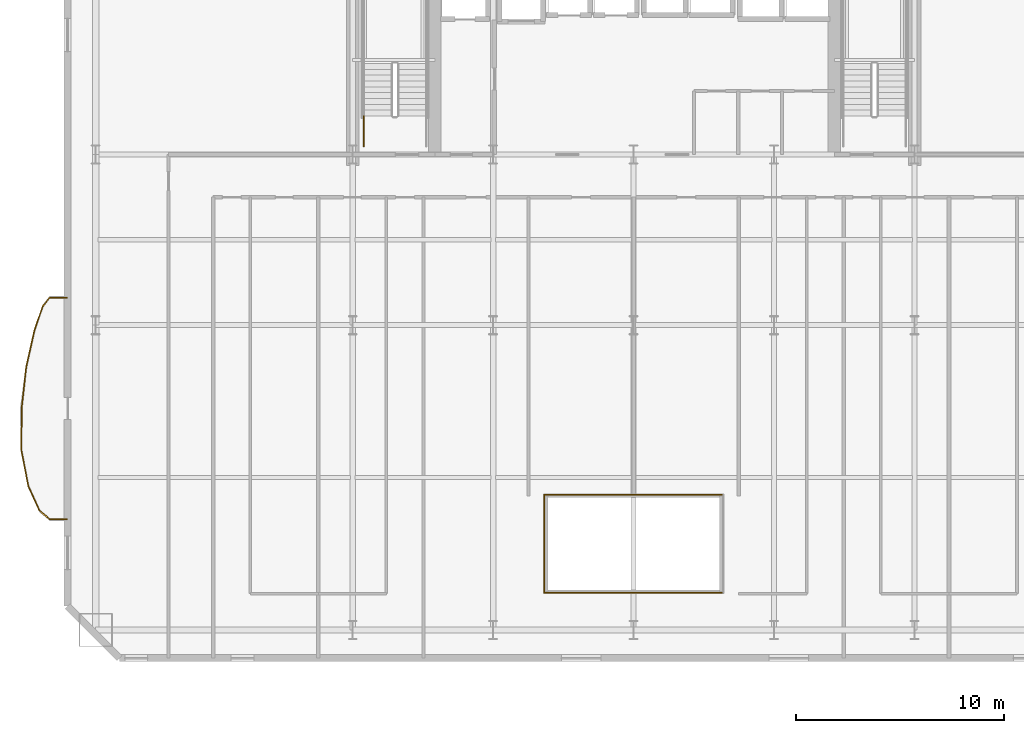
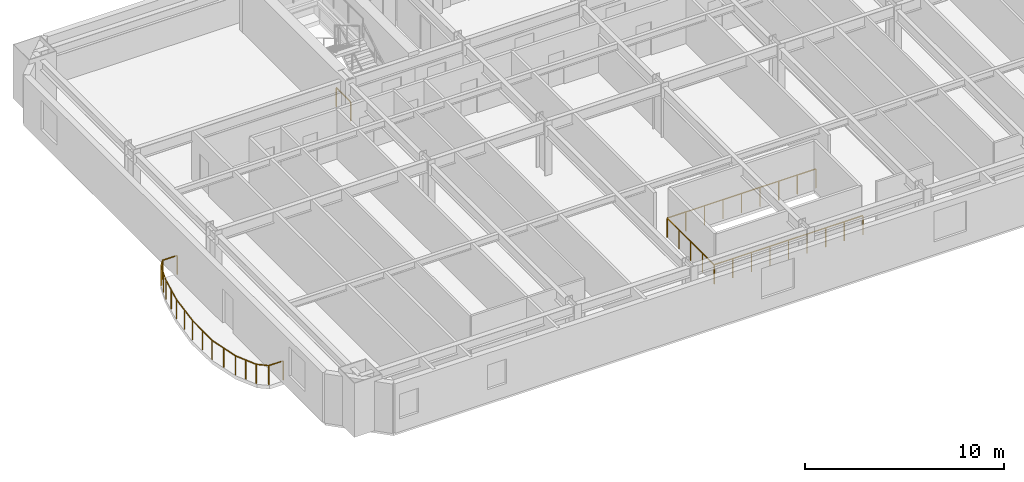
# One storey, part 11 of 17: 14 railings.
"""IFC4 building model written with IfcOpenShell, lengths in metres."""

from ifc_helpers import new_model, si_unit, direction, frame, origin, origin_2d, place, context, subcontext, project, spatial, rectangle, extrude, material, type_object, element, save


model = new_model("IFC4")

# Units and contexts
model_context = context("Model", 3, precision=1e-05, world=origin(), true_north=direction((0.0, 1.0)))
body_context = subcontext(model_context, "Body", "Model", "MODEL_VIEW")
ifc_project = project(units=[si_unit("LENGTHUNIT", "METRE"), si_unit("AREAUNIT", "SQUARE_METRE"), si_unit("VOLUMEUNIT", "CUBIC_METRE"), si_unit("PLANEANGLEUNIT", "RADIAN"), si_unit("MASSUNIT", "GRAM", prefix="KILO")], contexts=[model_context])

# Site, building, storey
site_placement = place(None, origin())
site = spatial("IfcSite", under=ifc_project, at=site_placement, CompositionType="ELEMENT")
building_placement = place(site_placement, origin())
building = spatial("IfcBuilding", under=site, at=building_placement, Name="Haevon Station Towers", CompositionType="ELEMENT")
storey_placement = place(building_placement, frame((0.0, 0.0, 33.89990234375)))
storey = spatial("IfcBuildingStorey", under=building, at=storey_placement, Name="L07", CompositionType="ELEMENT", Elevation=33.89990234375)

# Railings
ifc_material = material(Name="Steel S355", Category="steel")
railing_type_1 = type_object("IfcRailingType", Name="BAL-ATR1200", PredefinedType="BALUSTRADE", material=ifc_material)
railing_1_placement = place(storey_placement, frame((33.19482421875, 17.142333984375, 0.0)))
element("IfcRailing", 1, at=railing_1_placement, inside=storey, type_object=railing_type_1, Name="L07 Atrium Void Balustrade 1", PredefinedType="BALUSTRADE", context=body_context, shape_type="SweptSolid", body=[
    extrude(rectangle(XDim=0.048095703125, YDim=0.048095703125, at=origin_2d()), frame((0.0, 0.0, 1.17578125), z_axis=(1.0, 0.0, 0.0), x_axis=(0.0, 1.0, 0.0)), (0.0, 0.0, 1.0), 8.6103515625),
    extrude(rectangle(XDim=0.0419921875, YDim=0.0419921875, at=origin_2d()), origin(), (0.0, 0.0, 1.0), 1.15185546875),
    extrude(rectangle(XDim=0.0419921875, YDim=0.0419921875, at=origin_2d()), frame((1.076171875, 0.0, 0.0)), (0.0, 0.0, 1.0), 1.15185546875),
    extrude(rectangle(XDim=0.0419921875, YDim=0.0419921875, at=origin_2d()), frame((2.152587890625, 0.0, 0.0)), (0.0, 0.0, 1.0), 1.15185546875),
    extrude(rectangle(XDim=0.0419921875, YDim=0.0419921875, at=origin_2d()), frame((3.22900390625, 0.0, 0.0)), (0.0, 0.0, 1.0), 1.15185546875),
    extrude(rectangle(XDim=0.0419921875, YDim=0.0419921875, at=origin_2d()), frame((4.30517578125, 0.0, 0.0)), (0.0, 0.0, 1.0), 1.15185546875),
    extrude(rectangle(XDim=0.0419921875, YDim=0.0419921875, at=origin_2d()), frame((5.38134765625, 0.0, 0.0)), (0.0, 0.0, 1.0), 1.15185546875),
    extrude(rectangle(XDim=0.0419921875, YDim=0.0419921875, at=origin_2d()), frame((6.457763671875, 0.0, 0.0)), (0.0, 0.0, 1.0), 1.15185546875),
    extrude(rectangle(XDim=0.0419921875, YDim=0.0419921875, at=origin_2d()), frame((7.5341796875, 0.0, 0.0)), (0.0, 0.0, 1.0), 1.15185546875),
    extrude(rectangle(XDim=0.0419921875, YDim=0.0419921875, at=origin_2d()), frame((8.6103515625, 0.0, 0.0)), (0.0, 0.0, 1.0), 1.15185546875),
])
railing_2_placement = place(storey_placement, frame((41.80517578125, 21.857666015625, 0.0)))
element("IfcRailing", 2, at=railing_2_placement, inside=storey, type_object=railing_type_1, Name="L07 Atrium Void Balustrade 3", PredefinedType="BALUSTRADE", context=body_context, shape_type="SweptSolid", body=[
    extrude(rectangle(XDim=0.048095703125, YDim=0.048095703125, at=origin_2d()), frame((0.0, 0.0, 1.17578125), z_axis=(-1.0, 0.0, 0.0), x_axis=(0.0, -1.0, 0.0)), (0.0, 0.0, 1.0), 8.6103515625),
    extrude(rectangle(XDim=0.0419921875, YDim=0.0419921875, at=origin_2d()), origin(), (0.0, 0.0, 1.0), 1.15185546875),
    extrude(rectangle(XDim=0.0419921875, YDim=0.0419921875, at=origin_2d()), frame((-1.076171875, 0.0, 0.0)), (0.0, 0.0, 1.0), 1.15185546875),
    extrude(rectangle(XDim=0.0419921875, YDim=0.0419921875, at=origin_2d()), frame((-2.152587890625, 0.0, 0.0)), (0.0, 0.0, 1.0), 1.15185546875),
    extrude(rectangle(XDim=0.0419921875, YDim=0.0419921875, at=origin_2d()), frame((-3.22900390625, 0.0, 0.0)), (0.0, 0.0, 1.0), 1.15185546875),
    extrude(rectangle(XDim=0.0419921875, YDim=0.0419921875, at=origin_2d()), frame((-4.30517578125, 0.0, 0.0)), (0.0, 0.0, 1.0), 1.15185546875),
    extrude(rectangle(XDim=0.0419921875, YDim=0.0419921875, at=origin_2d()), frame((-5.38134765625, 0.0, 0.0)), (0.0, 0.0, 1.0), 1.15185546875),
    extrude(rectangle(XDim=0.0419921875, YDim=0.0419921875, at=origin_2d()), frame((-6.457763671875, 0.0, 0.0)), (0.0, 0.0, 1.0), 1.15185546875),
    extrude(rectangle(XDim=0.0419921875, YDim=0.0419921875, at=origin_2d()), frame((-7.5341796875, 0.0, 0.0)), (0.0, 0.0, 1.0), 1.15185546875),
    extrude(rectangle(XDim=0.0419921875, YDim=0.0419921875, at=origin_2d()), frame((-8.6103515625, 0.0, 0.0)), (0.0, 0.0, 1.0), 1.15185546875),
])
railing_3_placement = place(storey_placement, frame((33.19482421875, 21.857666015625, 0.0)))
element("IfcRailing", 3, at=railing_3_placement, inside=storey, type_object=railing_type_1, Name="L07 Atrium Void Balustrade 4", PredefinedType="BALUSTRADE", context=body_context, shape_type="SweptSolid", body=[
    extrude(rectangle(XDim=0.048095703125, YDim=0.048095703125, at=origin_2d()), frame((0.0, 0.0, 1.17578125), z_axis=(0.0, -1.0, 0.0), x_axis=(1.0, 0.0, 0.0)), (0.0, 0.0, 1.0), 4.71533203125),
    extrude(rectangle(XDim=0.0419921875, YDim=0.0419921875, at=origin_2d()), origin(), (0.0, 0.0, 1.0), 1.15185546875),
    extrude(rectangle(XDim=0.0419921875, YDim=0.0419921875, at=origin_2d()), frame((0.0, -1.1787109375, 0.0)), (0.0, 0.0, 1.0), 1.15185546875),
    extrude(rectangle(XDim=0.0419921875, YDim=0.0419921875, at=origin_2d()), frame((0.0, -2.357666015625, 0.0)), (0.0, 0.0, 1.0), 1.15185546875),
    extrude(rectangle(XDim=0.0419921875, YDim=0.0419921875, at=origin_2d()), frame((0.0, -3.53662109375, 0.0)), (0.0, 0.0, 1.0), 1.15185546875),
    extrude(rectangle(XDim=0.0419921875, YDim=0.0419921875, at=origin_2d()), frame((0.0, -4.71533203125, 0.0)), (0.0, 0.0, 1.0), 1.15185546875),
])
railing_type_2 = type_object("IfcRailingType", Name="GRD-EXT1200", PredefinedType="GUARDRAIL", material=ifc_material)
railing_4_placement = place(storey_placement, frame((10.2763671875, 31.322265625, 0.0)))
element("IfcRailing", 4, at=railing_4_placement, inside=storey, type_object=railing_type_2, Name="L07 Perimeter Guardrail 1", PredefinedType="GUARDRAIL", context=body_context, shape_type="SweptSolid", body=[
    extrude(rectangle(XDim=0.048095703125, YDim=0.048095703125, at=origin_2d()), frame((0.0, 0.0, 1.17578125), z_axis=(-0.999997283225, -0.002330995998, 0.0), x_axis=(0.002330995998, -0.999997283225, 0.0)), (0.0, 0.0, 1.0), 0.837890625),
    extrude(rectangle(XDim=0.0419921875, YDim=0.0419921875, at=origin_2d()), origin(), (0.0, 0.0, 1.0), 1.15185546875),
    extrude(rectangle(XDim=0.0419921875, YDim=0.0419921875, at=origin_2d()), frame((-0.837890625, -0.001953125, 0.0)), (0.0, 0.0, 1.0), 1.15185546875),
])
railing_5_placement = place(storey_placement, frame((9.4384765625, 31.3203125, 0.0)))
element("IfcRailing", 5, at=railing_5_placement, inside=storey, type_object=railing_type_2, Name="L07 Perimeter Guardrail 2", PredefinedType="GUARDRAIL", context=body_context, shape_type="SweptSolid", body=[
    extrude(rectangle(XDim=0.048095703125, YDim=0.048095703125, at=origin_2d()), frame((0.0, 0.0, 1.17578125), z_axis=(-0.626386088605, -0.779512968463, 0.0), x_axis=(0.779512968463, -0.626386088605, 0.0)), (0.0, 0.0, 1.0), 0.52783203125),
    extrude(rectangle(XDim=0.0419921875, YDim=0.0419921875, at=origin_2d()), origin(), (0.0, 0.0, 1.0), 1.15185546875),
    extrude(rectangle(XDim=0.0419921875, YDim=0.0419921875, at=origin_2d()), frame((-0.33056640625, -0.411376953125, 0.0)), (0.0, 0.0, 1.0), 1.15185546875),
])
railing_6_placement = place(storey_placement, frame((9.10791015625, 30.908935546875, 0.0)))
element("IfcRailing", 6, at=railing_6_placement, inside=storey, type_object=railing_type_2, Name="L07 Perimeter Guardrail 3", PredefinedType="GUARDRAIL", context=body_context, shape_type="SweptSolid", body=[
    extrude(rectangle(XDim=0.048095703125, YDim=0.048095703125, at=origin_2d()), frame((0.0, 0.0, 1.17578125), z_axis=(-0.324031686844, -0.946046228216, 0.0), x_axis=(0.946046228216, -0.324031686844, 0.0)), (0.0, 0.0, 1.0), 1.237060546875),
    extrude(rectangle(XDim=0.0419921875, YDim=0.0419921875, at=origin_2d()), origin(), (0.0, 0.0, 1.0), 1.15185546875),
    extrude(rectangle(XDim=0.0419921875, YDim=0.0419921875, at=origin_2d()), frame((-0.200439453125, -0.585205078125, 0.0)), (0.0, 0.0, 1.0), 1.15185546875),
    extrude(rectangle(XDim=0.0419921875, YDim=0.0419921875, at=origin_2d()), frame((-0.40087890625, -1.17041015625, 0.0)), (0.0, 0.0, 1.0), 1.15185546875),
])
railing_7_placement = place(storey_placement, frame((8.70703125, 29.738525390625, 0.0)))
element("IfcRailing", 7, at=railing_7_placement, inside=storey, type_object=railing_type_2, Name="L07 Perimeter Guardrail 4", PredefinedType="GUARDRAIL", context=body_context, shape_type="SweptSolid", body=[
    extrude(rectangle(XDim=0.048095703125, YDim=0.048095703125, at=origin_2d()), frame((0.0, 0.0, 1.17578125), z_axis=(-0.219570571944, -0.975596619478, 0.0), x_axis=(0.975596619478, -0.219570571944, 0.0)), (0.0, 0.0, 1.0), 1.791259765625),
    extrude(rectangle(XDim=0.0419921875, YDim=0.0419921875, at=origin_2d()), origin(), (0.0, 0.0, 1.0), 1.15185546875),
    extrude(rectangle(XDim=0.0419921875, YDim=0.0419921875, at=origin_2d()), frame((-0.19677734375, -0.873779296875, 0.0)), (0.0, 0.0, 1.0), 1.15185546875),
    extrude(rectangle(XDim=0.0419921875, YDim=0.0419921875, at=origin_2d()), frame((-0.393310546875, -1.74755859375, 0.0)), (0.0, 0.0, 1.0), 1.15185546875),
])
railing_8_placement = place(storey_placement, frame((8.313720703125, 27.990966796875, 0.0)))
element("IfcRailing", 8, at=railing_8_placement, inside=storey, type_object=railing_type_2, Name="L07 Perimeter Guardrail 5", PredefinedType="GUARDRAIL", context=body_context, shape_type="SweptSolid", body=[
    extrude(rectangle(XDim=0.048095703125, YDim=0.048095703125, at=origin_2d()), frame((0.0, 0.0, 1.17578125), z_axis=(-0.108973140027, -0.994044694545, 0.0), x_axis=(0.994044694545, -0.108973140027, 0.0)), (0.0, 0.0, 1.0), 2.0029296875),
    extrude(rectangle(XDim=0.0419921875, YDim=0.0419921875, at=origin_2d()), origin(), (0.0, 0.0, 1.0), 1.15185546875),
    extrude(rectangle(XDim=0.0419921875, YDim=0.0419921875, at=origin_2d()), frame((-0.109130859375, -0.99560546875, 0.0)), (0.0, 0.0, 1.0), 1.15185546875),
    extrude(rectangle(XDim=0.0419921875, YDim=0.0419921875, at=origin_2d()), frame((-0.21826171875, -1.990966796875, 0.0)), (0.0, 0.0, 1.0), 1.15185546875),
])
railing_9_placement = place(storey_placement, frame((8.095458984375, 26.0, 0.0)))
element("IfcRailing", 9, at=railing_9_placement, inside=storey, type_object=railing_type_2, Name="L07 Perimeter Guardrail 6", PredefinedType="GUARDRAIL", context=body_context, shape_type="SweptSolid", body=[
    extrude(rectangle(XDim=0.048095703125, YDim=0.048095703125, at=origin_2d()), frame((0.0, 0.0, 1.17578125), z_axis=(-0.008448333236, -0.999964312196, 0.0), x_axis=(0.999964312196, -0.008448333236, 0.0)), (0.0, 0.0, 1.0), 1.993896484375),
    extrude(rectangle(XDim=0.0419921875, YDim=0.0419921875, at=origin_2d()), origin(), (0.0, 0.0, 1.0), 1.15185546875),
    extrude(rectangle(XDim=0.0419921875, YDim=0.0419921875, at=origin_2d()), frame((-0.00830078125, -0.9970703125, 0.0)), (0.0, 0.0, 1.0), 1.15185546875),
    extrude(rectangle(XDim=0.0419921875, YDim=0.0419921875, at=origin_2d()), frame((-0.016845703125, -1.993896484375, 0.0)), (0.0, 0.0, 1.0), 1.15185546875),
])
railing_10_placement = place(storey_placement, frame((8.07861328125, 24.006103515625, 0.0)))
element("IfcRailing", 10, at=railing_10_placement, inside=storey, type_object=railing_type_2, Name="L07 Perimeter Guardrail 7", PredefinedType="GUARDRAIL", context=body_context, shape_type="SweptSolid", body=[
    extrude(rectangle(XDim=0.048095703125, YDim=0.048095703125, at=origin_2d()), frame((0.0, 0.0, 1.17578125), z_axis=(0.189270206795, -0.981925042363, 0.0), x_axis=(0.981925042363, 0.189270206795, 0.0)), (0.0, 0.0, 1.0), 1.777587890625),
    extrude(rectangle(XDim=0.0419921875, YDim=0.0419921875, at=origin_2d()), origin(), (0.0, 0.0, 1.0), 1.15185546875),
    extrude(rectangle(XDim=0.0419921875, YDim=0.0419921875, at=origin_2d()), frame((0.168212890625, -0.87255859375, 0.0)), (0.0, 0.0, 1.0), 1.15185546875),
    extrude(rectangle(XDim=0.0419921875, YDim=0.0419921875, at=origin_2d()), frame((0.33642578125, -1.745361328125, 0.0)), (0.0, 0.0, 1.0), 1.15185546875),
])
railing_11_placement = place(storey_placement, frame((8.4150390625, 22.2607421875, 0.0)))
element("IfcRailing", 11, at=railing_11_placement, inside=storey, type_object=railing_type_2, Name="L07 Perimeter Guardrail 8", PredefinedType="GUARDRAIL", context=body_context, shape_type="SweptSolid", body=[
    extrude(rectangle(XDim=0.048095703125, YDim=0.048095703125, at=origin_2d()), frame((0.0, 0.0, 1.17578125), z_axis=(0.41447546993, -0.910060484158, 0.0), x_axis=(0.910060484158, 0.41447546993, 0.0)), (0.0, 0.0, 1.0), 1.28515625),
    extrude(rectangle(XDim=0.0419921875, YDim=0.0419921875, at=origin_2d()), origin(), (0.0, 0.0, 1.0), 1.15185546875),
    extrude(rectangle(XDim=0.0419921875, YDim=0.0419921875, at=origin_2d()), frame((0.266357421875, -0.5849609375, 0.0)), (0.0, 0.0, 1.0), 1.15185546875),
    extrude(rectangle(XDim=0.0419921875, YDim=0.0419921875, at=origin_2d()), frame((0.53271484375, -1.169677734375, 0.0)), (0.0, 0.0, 1.0), 1.15185546875),
])
railing_12_placement = place(storey_placement, frame((8.94775390625, 21.091064453125, 0.0)))
element("IfcRailing", 12, at=railing_12_placement, inside=storey, type_object=railing_type_2, Name="L07 Perimeter Guardrail 9", PredefinedType="GUARDRAIL", context=body_context, shape_type="SweptSolid", body=[
    extrude(rectangle(XDim=0.048095703125, YDim=0.048095703125, at=origin_2d()), frame((0.0, 0.0, 1.17578125), z_axis=(0.766342909973, -0.642431742938, 0.0), x_axis=(0.642431742938, 0.766342909973, 0.0)), (0.0, 0.0, 1.0), 0.640380859375),
    extrude(rectangle(XDim=0.0419921875, YDim=0.0419921875, at=origin_2d()), origin(), (0.0, 0.0, 1.0), 1.15185546875),
    extrude(rectangle(XDim=0.0419921875, YDim=0.0419921875, at=origin_2d()), frame((0.49072265625, -0.411376953125, 0.0)), (0.0, 0.0, 1.0), 1.15185546875),
])
railing_13_placement = place(storey_placement, frame((9.4384765625, 20.6796875, 0.0)))
element("IfcRailing", 13, at=railing_13_placement, inside=storey, type_object=railing_type_2, Name="L07 Perimeter Guardrail 10", PredefinedType="GUARDRAIL", context=body_context, shape_type="SweptSolid", body=[
    extrude(rectangle(XDim=0.048095703125, YDim=0.048095703125, at=origin_2d()), frame((0.0, 0.0, 1.17578125), z_axis=(0.999997283225, -0.002330995998, 0.0), x_axis=(0.002330995998, 0.999997283225, 0.0)), (0.0, 0.0, 1.0), 0.837890625),
    extrude(rectangle(XDim=0.0419921875, YDim=0.0419921875, at=origin_2d()), origin(), (0.0, 0.0, 1.0), 1.15185546875),
    extrude(rectangle(XDim=0.0419921875, YDim=0.0419921875, at=origin_2d()), frame((0.837890625, -0.001953125, 0.0)), (0.0, 0.0, 1.0), 1.15185546875),
])
railing_type_3 = type_object("IfcRailingType", Name="GRD-STR1200", PredefinedType="GUARDRAIL", material=ifc_material)
railing_14_placement = place(storey_placement, frame((24.530029296875, 38.60009765625, 0.0)))
element("IfcRailing", 14, at=railing_14_placement, inside=storey, type_object=railing_type_3, Name="L07 ST1 Stair Guard 9", PredefinedType="GUARDRAIL", context=body_context, shape_type="SweptSolid", body=[
    extrude(rectangle(XDim=0.048095703125, YDim=0.048095703125, at=origin_2d()), frame((0.0, 0.0, 1.17578125), z_axis=(0.0, 1.0, 0.0), x_axis=(-1.0, 0.0, 0.0)), (0.0, 0.0, 1.0), 1.449951171875),
    extrude(rectangle(XDim=0.0419921875, YDim=0.0419921875, at=origin_2d()), origin(), (0.0, 0.0, 1.0), 1.15185546875),
    extrude(rectangle(XDim=0.0419921875, YDim=0.0419921875, at=origin_2d()), frame((0.0, 1.449951171875, 0.0)), (0.0, 0.0, 1.0), 1.15185546875),
])

save(model, "model.ifc")
